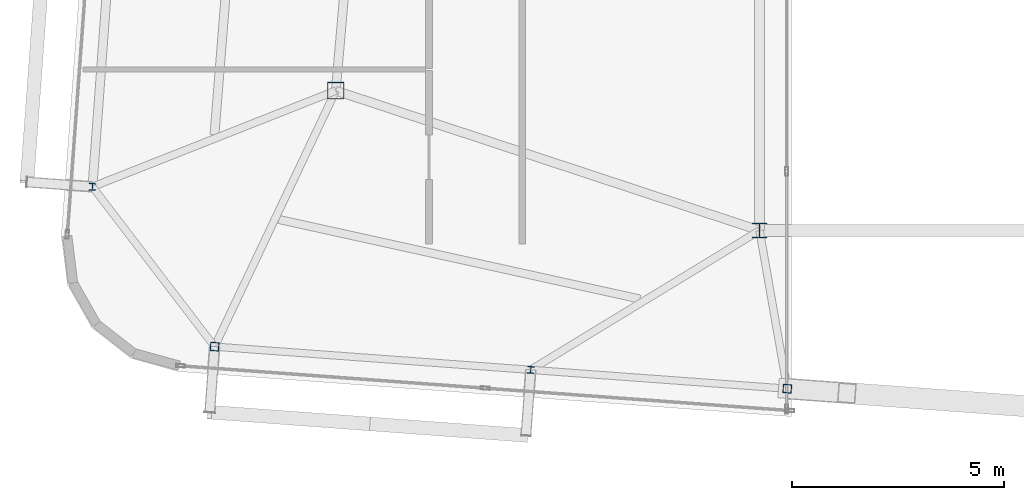
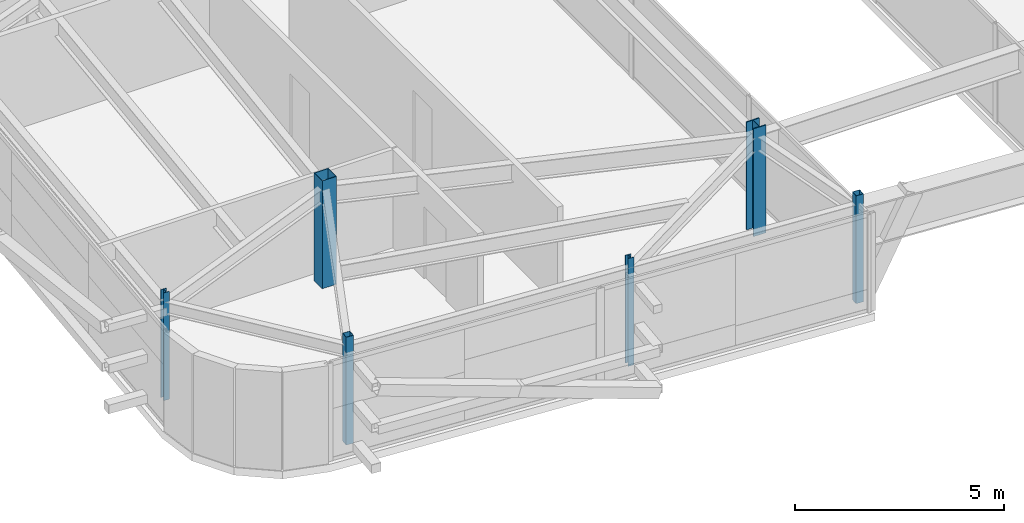
# One storey, part 1 of 40: 6 columns.
"""IFC4 building model written with IfcOpenShell, lengths in metres."""

from ifc_helpers import new_model, si_unit, direction, frame, origin, origin_2d, place, context, subcontext, project, spatial, hollow_rectangle, i_section, extrude, source, transform, mapped, material, material_profile, profile_set, type_object, element, save


model = new_model("IFC4")

# Units and contexts
model_context = context("Model", 3, precision=1e-05, world=origin(), true_north=direction((0.0, 1.0)))
body_context = subcontext(model_context, "Body", "Model", "MODEL_VIEW")
ifc_project = project(units=[si_unit("LENGTHUNIT", "METRE"), si_unit("AREAUNIT", "SQUARE_METRE"), si_unit("VOLUMEUNIT", "CUBIC_METRE"), si_unit("PLANEANGLEUNIT", "RADIAN"), si_unit("MASSUNIT", "GRAM", prefix="KILO")], contexts=[model_context])

# Site, building, storey
site_placement = place(None, origin())
site = spatial("IfcSite", under=ifc_project, at=site_placement, CompositionType="ELEMENT")
building_placement = place(site_placement, origin())
building = spatial("IfcBuilding", under=site, at=building_placement, Name="Taldren Reach Tower", CompositionType="ELEMENT")
storey_placement = place(building_placement, frame((0.0, 0.0, 233.449951171875)))
storey = spatial("IfcBuildingStorey", under=building, at=storey_placement, Name="L71", CompositionType="ELEMENT", Elevation=233.449951171875)

# Columns
ifc_material_1 = material(Name="Steel Gr 350 (350PLUS)", Category="steel")
ifc_material_profile_1 = material_profile(ifc_material_1, i_section(OverallWidth=0.35009765625, OverallDepth=0.35595703125, WebThickness=0.01806640625, FlangeThickness=0.028076171875, at=origin_2d()), Name="350WC197")
ifc_profile_set_1 = profile_set([ifc_material_profile_1], Name="Steel Gr 350 (350PLUS)")
column_type_1 = type_object("IfcColumnType", Name="COL-WC350", PredefinedType="COLUMN", material=ifc_profile_set_1)
shared_shape_1 = source(origin(), body_context, "Body", "SweptSolid", [
    extrude(i_section(OverallWidth=0.35009765625, OverallDepth=0.35595703125, WebThickness=0.01806640625, FlangeThickness=0.028076171875, at=origin_2d()), origin(), (0.0, 0.0, 1.0), 3.150146484375),
])
column_1_placement = place(storey_placement, frame((28.0, 9.199951171875, 0.0), z_axis=(0.0, 0.0, 1.0), x_axis=(1.0, 0.0, 0.0)))
element("IfcColumn", 1, at=column_1_placement, inside=storey, type_object=column_type_1, Name="Mega column MC-PJW L71", PredefinedType="COLUMN", context=body_context, shape_type="MappedRepresentation", body=[
    mapped(shared_shape_1, transform((0.0, 0.0, 0.0), scale=1.0)),
])
ifc_material_2 = material(Name="Steel Gr 450 (C450L0)", Category="steel")
ifc_material_profile_2 = material_profile(ifc_material_2, hollow_rectangle(XDim=0.39990234375, YDim=0.39990234375, WallThickness=0.01611328125, at=origin_2d()), Name="400x400x16.0SHS")
ifc_profile_set_2 = profile_set([ifc_material_profile_2], Name="Steel Gr 450 (C450L0)")
column_type_2 = type_object("IfcColumnType", Name="COL-SHS400", PredefinedType="COLUMN", material=ifc_profile_set_2)
shared_shape_2 = source(origin(), body_context, "Body", "SweptSolid", [
    extrude(hollow_rectangle(XDim=0.39990234375, YDim=0.39990234375, WallThickness=0.01611328125, at=origin_2d()), origin(), (0.0, 0.0, 1.0), 3.150146484375),
])
column_2_placement = place(storey_placement, frame((18.0, 12.5, 0.0), z_axis=(0.0, 0.0, 1.0), x_axis=(1.0, 0.0, 0.0)))
element("IfcColumn", 2, at=column_2_placement, inside=storey, type_object=column_type_2, Name="Mega column MC-SW L71", PredefinedType="COLUMN", context=body_context, shape_type="MappedRepresentation", body=[
    mapped(shared_shape_2, transform((0.0, 0.0, 0.0), scale=1.0)),
])
ifc_material_3 = material(Name="Steel Gr 350 (C350L0)", Category="steel")
ifc_material_profile_3 = material_profile(ifc_material_3, hollow_rectangle(XDim=0.199951171875, YDim=0.199951171875, WallThickness=0.009033203125, at=origin_2d()), Name="200x200x9.0SHS")
ifc_profile_set_3 = profile_set([ifc_material_profile_3], Name="Steel Gr 350 (C350L0)")
column_type_3 = type_object("IfcColumnType", Name="COL-SHS200", PredefinedType="COLUMN", material=ifc_profile_set_3)
shared_shape_3 = source(origin(), body_context, "Body", "SweptSolid", [
    extrude(hollow_rectangle(XDim=0.199951171875, YDim=0.199951171875, WallThickness=0.009033203125, at=origin_2d()), origin(), (0.0, 0.0, 1.0), 3.150146484375),
])
for number, where, z_axis, x_axis, name in (
    (3, (15.140625, 6.460205078125, 0.0), (0.0, 0.0, 1.0), (0.997314477224, -0.073238197128, 0.0), "Block B5 perimeter column S1 L71"),
    (4, (28.654296875, 5.4677734375, 0.0), (0.0, 0.0, 1.0), (0.997314477224, -0.073238197128, 0.0), "Block B5 perimeter column PJ1 L71"),
):
    element("IfcColumn", number, at=place(storey_placement, frame(where, z_axis=z_axis, x_axis=x_axis)), inside=storey, type_object=column_type_3, Name=name, PredefinedType="COLUMN", context=body_context, shape_type="MappedRepresentation", body=[
        mapped(shared_shape_3, transform((0.0, 0.0, 0.0), scale=1.0)),
    ])
ifc_material_profile_4 = material_profile(ifc_material_1, i_section(OverallWidth=0.154052734375, OverallDepth=0.162109375, WebThickness=0.008056640625, FlangeThickness=0.011474609375, at=origin_2d()), Name="150UC37.2")
ifc_profile_set_4 = profile_set([ifc_material_profile_4], Name="Steel Gr 350 (350PLUS)")
column_type_4 = type_object("IfcColumnType", Name="COL-UC150", PredefinedType="COLUMN", material=ifc_profile_set_4)
shared_shape_4 = source(origin(), body_context, "Body", "SweptSolid", [
    extrude(i_section(OverallWidth=0.154052734375, OverallDepth=0.162109375, WebThickness=0.008056640625, FlangeThickness=0.011474609375, at=origin_2d()), origin(), (0.0, 0.0, 1.0), 3.150146484375),
])
for number, where, z_axis, x_axis, name in (
    (5, (22.6005859375, 5.912353515625, 0.0), (0.0, 0.0, 1.0), (0.997314477224, -0.073238197128, 0.0), "Block B5 perimeter column S2 L71"),
    (6, (12.259033203125, 10.2314453125, 0.0), (0.0, 0.0, 1.0), (0.997314477224, -0.073238197128, 0.0), "Block B5 perimeter column W1 L71"),
):
    element("IfcColumn", number, at=place(storey_placement, frame(where, z_axis=z_axis, x_axis=x_axis)), inside=storey, type_object=column_type_4, Name=name, PredefinedType="COLUMN", context=body_context, shape_type="MappedRepresentation", body=[
        mapped(shared_shape_4, transform((0.0, 0.0, 0.0), scale=1.0)),
    ])

save(model, "model.ifc")
